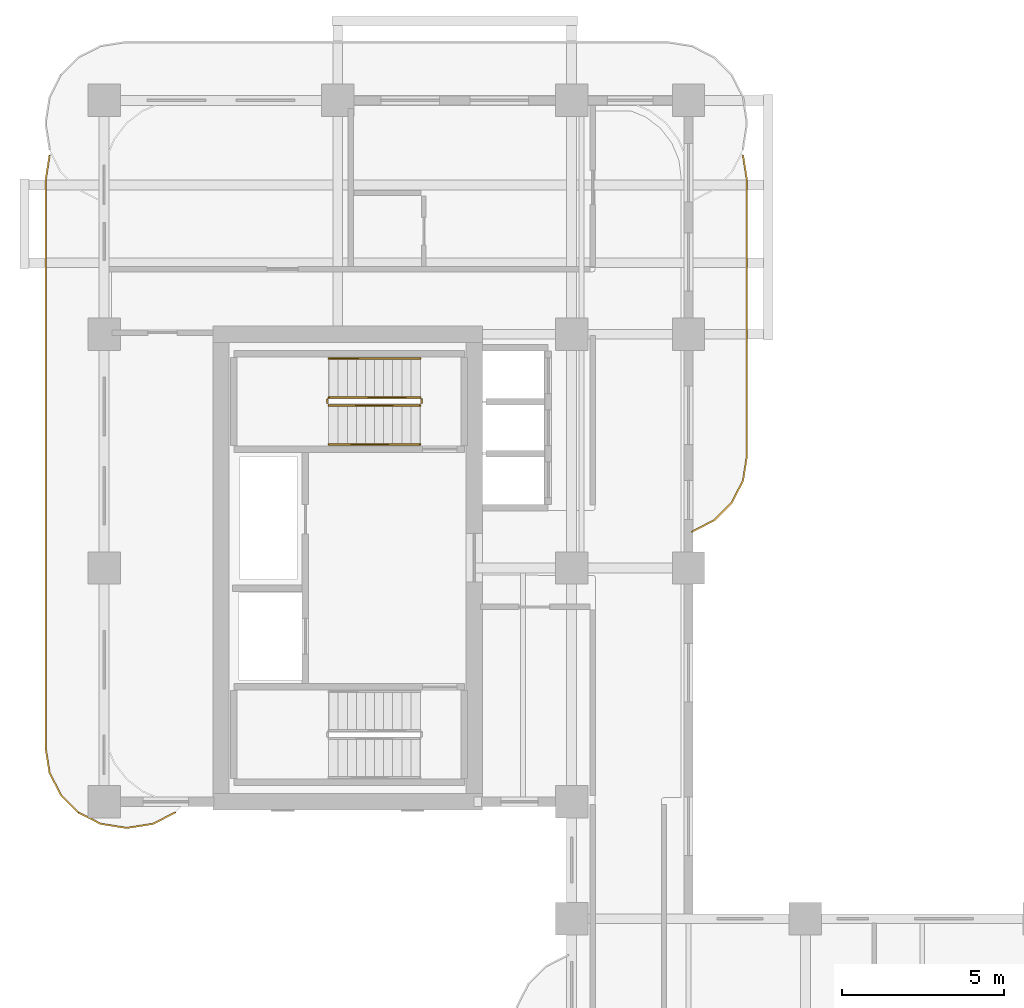
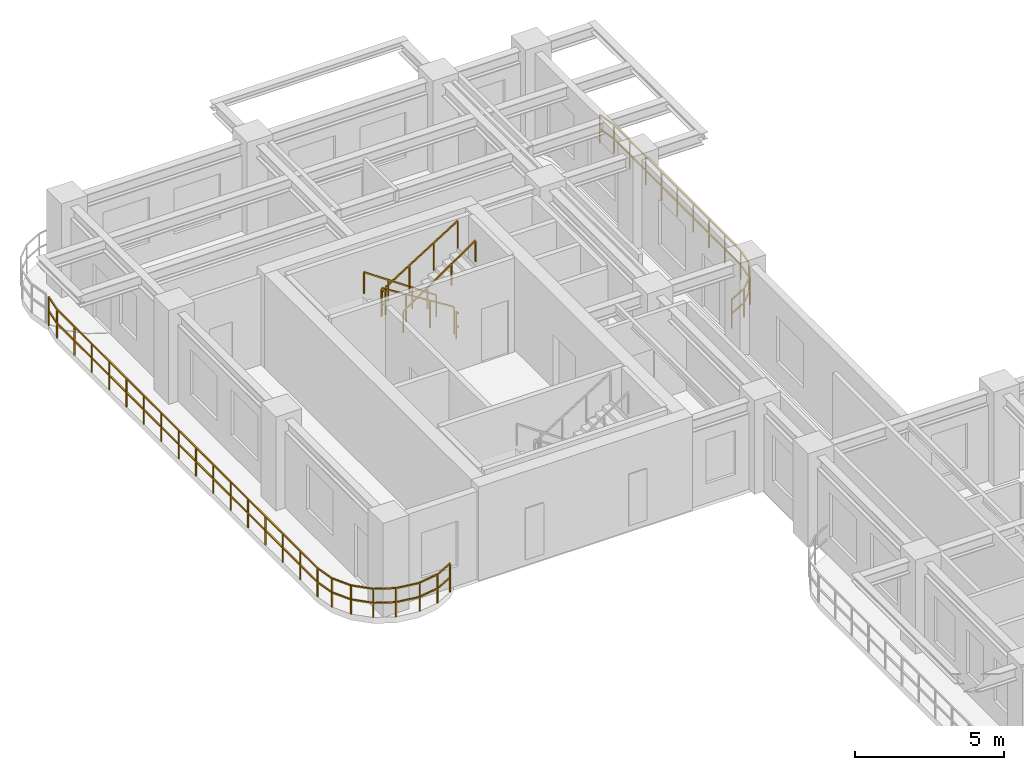
# One storey, part 13 of 14: 8 railings.
"""IFC4 building model written with IfcOpenShell, lengths in metres."""

from ifc_helpers import new_model, si_unit, derived_unit, direction, frame, origin, origin_2d, place, context, subcontext, project, spatial, rectangle, extrude, material, type_object, element, save


model = new_model("IFC4")

# Units and contexts
model_context = context("Model", 3, precision=1e-05, world=origin(), true_north=direction((0.0, 1.0)))
body_context = subcontext(model_context, "Body", "Model", "MODEL_VIEW")
ifc_project = project(units=[si_unit("LENGTHUNIT", "METRE"), si_unit("AREAUNIT", "SQUARE_METRE"), si_unit("VOLUMEUNIT", "CUBIC_METRE"), si_unit("PLANEANGLEUNIT", "RADIAN"), si_unit("MASSUNIT", "GRAM", prefix="KILO"), si_unit("THERMODYNAMICTEMPERATUREUNIT", "KELVIN"), si_unit("POWERUNIT", "WATT"), derived_unit("THERMALTRANSMITTANCEUNIT", [(si_unit("POWERUNIT", "WATT"), 1), (si_unit("AREAUNIT", "SQUARE_METRE"), -1), (si_unit("THERMODYNAMICTEMPERATUREUNIT", "KELVIN"), -1)])], contexts=[model_context])

# Site, building, storey
site_placement = place(None, origin())
site = spatial("IfcSite", under=ifc_project, at=site_placement, CompositionType="ELEMENT")
building_placement = place(site_placement, origin())
building = spatial("IfcBuilding", under=site, at=building_placement, Name="Zahravan Archway Hotel and Residences", CompositionType="ELEMENT")
storey_placement = place(building_placement, frame((0.0, 0.0, 188.800048828125)))
storey = spatial("IfcBuildingStorey", under=building, at=storey_placement, Name="L47", CompositionType="ELEMENT", Elevation=188.800048828125)

# Railings
ifc_material_1 = material(Name="Bronze & Laminated Glass Balustrade", Category="glass")
railing_type_1 = type_object("IfcRailingType", Name="RL-BAL-1200", PredefinedType="BALUSTRADE", material=ifc_material_1)
railing_1_placement = place(storey_placement, frame((2.190185546875, 24.867919921875, 0.0)))
element("IfcRailing", 1, at=railing_1_placement, inside=storey, type_object=railing_type_1, Name="L47 Balustrade RL-SLB-BAL-L47-WB-1", PredefinedType="BALUSTRADE", context=body_context, shape_type="SweptSolid", body=[
    extrude(rectangle(XDim=0.048095703125, YDim=0.048095703125, at=origin_2d()), frame((0.0, 0.0, 1.17578125), z_axis=(-0.891090529897, -0.453825591531, 0.0), x_axis=(0.453825591531, -0.891090529897, 0.0)), (0.0, 0.0, 1.0), 0.7666015625),
    extrude(rectangle(XDim=0.048095703125, YDim=0.048095703125, at=origin_2d()), frame((0.0, 0.0, 0.60009765625), z_axis=(-0.891090529897, -0.453825591531, 0.0), x_axis=(0.453825591531, -0.891090529897, 0.0)), (0.0, 0.0, 1.0), 0.7666015625),
    extrude(rectangle(XDim=0.048095703125, YDim=0.048095703125, at=origin_2d()), frame((-0.68310546875, -0.347900390625, 1.17578125), z_axis=(-0.987646484274, -0.156698507018, 0.0), x_axis=(0.156698507018, -0.987646484274, 0.0)), (0.0, 0.0, 1.0), 0.7666015625),
    extrude(rectangle(XDim=0.048095703125, YDim=0.048095703125, at=origin_2d()), frame((-0.68310546875, -0.347900390625, 0.60009765625), z_axis=(-0.987646484274, -0.156698507018, 0.0), x_axis=(0.156698507018, -0.987646484274, 0.0)), (0.0, 0.0, 1.0), 0.7666015625),
    extrude(rectangle(XDim=0.048095703125, YDim=0.048095703125, at=origin_2d()), frame((-1.440185546875, -0.468017578125, 1.17578125), z_axis=(-1.0, 0.0, 0.0), x_axis=(0.0, -1.0, 0.0)), (0.0, 0.0, 1.0), 0.10009765625),
    extrude(rectangle(XDim=0.048095703125, YDim=0.048095703125, at=origin_2d()), frame((-1.440185546875, -0.468017578125, 0.60009765625), z_axis=(-1.0, 0.0, 0.0), x_axis=(0.0, -1.0, 0.0)), (0.0, 0.0, 1.0), 0.10009765625),
    extrude(rectangle(XDim=0.048095703125, YDim=0.048095703125, at=origin_2d()), frame((-1.540283203125, -0.468017578125, 1.17578125), z_axis=(-0.987646484274, 0.156698507018, 0.0), x_axis=(-0.156698507018, -0.987646484274, 0.0)), (0.0, 0.0, 1.0), 0.7666015625),
    extrude(rectangle(XDim=0.048095703125, YDim=0.048095703125, at=origin_2d()), frame((-1.540283203125, -0.468017578125, 0.60009765625), z_axis=(-0.987646484274, 0.156698507018, 0.0), x_axis=(-0.156698507018, -0.987646484274, 0.0)), (0.0, 0.0, 1.0), 0.7666015625),
    extrude(rectangle(XDim=0.048095703125, YDim=0.048095703125, at=origin_2d()), frame((-2.29736328125, -0.347900390625, 1.17578125), z_axis=(-0.891024909783, 0.453954414172, 0.0), x_axis=(-0.453954414172, -0.891024909783, 0.0)), (0.0, 0.0, 1.0), 0.766357421875),
    extrude(rectangle(XDim=0.048095703125, YDim=0.048095703125, at=origin_2d()), frame((-2.29736328125, -0.347900390625, 0.60009765625), z_axis=(-0.891024909783, 0.453954414172, 0.0), x_axis=(-0.453954414172, -0.891024909783, 0.0)), (0.0, 0.0, 1.0), 0.766357421875),
    extrude(rectangle(XDim=0.048095703125, YDim=0.048095703125, at=origin_2d()), frame((-2.980224609375, 0.0, 1.17578125), z_axis=(-0.707106781187, 0.707106781187, 0.0), x_axis=(-0.707106781187, -0.707106781187, 0.0)), (0.0, 0.0, 1.0), 0.7666015625),
    extrude(rectangle(XDim=0.048095703125, YDim=0.048095703125, at=origin_2d()), frame((-2.980224609375, 0.0, 0.60009765625), z_axis=(-0.707106781187, 0.707106781187, 0.0), x_axis=(-0.707106781187, -0.707106781187, 0.0)), (0.0, 0.0, 1.0), 0.7666015625),
    extrude(rectangle(XDim=0.048095703125, YDim=0.048095703125, at=origin_2d()), frame((-3.522216796875, 0.5419921875, 1.17578125), z_axis=(-0.454078418624, 0.890961721815, 0.0), x_axis=(-0.890961721815, -0.454078418624, 0.0)), (0.0, 0.0, 1.0), 0.7666015625),
    extrude(rectangle(XDim=0.048095703125, YDim=0.048095703125, at=origin_2d()), frame((-3.522216796875, 0.5419921875, 0.60009765625), z_axis=(-0.454078418624, 0.890961721815, 0.0), x_axis=(-0.890961721815, -0.454078418624, 0.0)), (0.0, 0.0, 1.0), 0.7666015625),
    extrude(rectangle(XDim=0.048095703125, YDim=0.048095703125, at=origin_2d()), frame((-3.870361328125, 1.22509765625, 1.17578125), z_axis=(-0.156387811283, 0.987695728695, 0.0), x_axis=(-0.987695728695, -0.156387811283, 0.0)), (0.0, 0.0, 1.0), 0.7666015625),
    extrude(rectangle(XDim=0.048095703125, YDim=0.048095703125, at=origin_2d()), frame((-3.870361328125, 1.22509765625, 0.60009765625), z_axis=(-0.156387811283, 0.987695728695, 0.0), x_axis=(-0.987695728695, -0.156387811283, 0.0)), (0.0, 0.0, 1.0), 0.7666015625),
    extrude(rectangle(XDim=0.048095703125, YDim=0.048095703125, at=origin_2d()), frame((-3.990234375, 1.982177734375, 1.17578125), z_axis=(0.0, 1.0, 0.0), x_axis=(-1.0, 0.0, 0.0)), (0.0, 0.0, 1.0), 17.5),
    extrude(rectangle(XDim=0.048095703125, YDim=0.048095703125, at=origin_2d()), frame((-3.990234375, 1.982177734375, 0.60009765625), z_axis=(0.0, 1.0, 0.0), x_axis=(-1.0, 0.0, 0.0)), (0.0, 0.0, 1.0), 17.5),
    extrude(rectangle(XDim=0.048095703125, YDim=0.048095703125, at=origin_2d()), frame((-3.990234375, 19.482177734375, 1.17578125), z_axis=(0.156387811283, 0.987695728695, 0.0), x_axis=(-0.987695728695, 0.156387811283, 0.0)), (0.0, 0.0, 1.0), 0.7666015625),
    extrude(rectangle(XDim=0.048095703125, YDim=0.048095703125, at=origin_2d()), frame((-3.990234375, 19.482177734375, 0.60009765625), z_axis=(0.156387811283, 0.987695728695, 0.0), x_axis=(-0.987695728695, 0.156387811283, 0.0)), (0.0, 0.0, 1.0), 0.7666015625),
    extrude(rectangle(XDim=0.0419921875, YDim=0.0419921875, at=origin_2d()), origin(), (0.0, 0.0, 1.0), 1.15185546875),
    extrude(rectangle(XDim=0.0419921875, YDim=0.0419921875, at=origin_2d()), frame((-0.68310546875, -0.347900390625, 0.0)), (0.0, 0.0, 1.0), 1.15185546875),
    extrude(rectangle(XDim=0.0419921875, YDim=0.0419921875, at=origin_2d()), frame((-1.440185546875, -0.468017578125, 0.0)), (0.0, 0.0, 1.0), 1.15185546875),
    extrude(rectangle(XDim=0.0419921875, YDim=0.0419921875, at=origin_2d()), frame((-2.29736328125, -0.347900390625, 0.0)), (0.0, 0.0, 1.0), 1.15185546875),
    extrude(rectangle(XDim=0.0419921875, YDim=0.0419921875, at=origin_2d()), frame((-2.980224609375, 0.0, 0.0)), (0.0, 0.0, 1.0), 1.15185546875),
    extrude(rectangle(XDim=0.0419921875, YDim=0.0419921875, at=origin_2d()), frame((-3.522216796875, 0.5419921875, 0.0)), (0.0, 0.0, 1.0), 1.15185546875),
    extrude(rectangle(XDim=0.0419921875, YDim=0.0419921875, at=origin_2d()), frame((-3.870361328125, 1.22509765625, 0.0)), (0.0, 0.0, 1.0), 1.15185546875),
    extrude(rectangle(XDim=0.0419921875, YDim=0.0419921875, at=origin_2d()), frame((-3.990234375, 1.982177734375, 0.0)), (0.0, 0.0, 1.0), 1.15185546875),
    extrude(rectangle(XDim=0.0419921875, YDim=0.0419921875, at=origin_2d()), frame((-3.990234375, 3.14892578125, 0.0)), (0.0, 0.0, 1.0), 1.15185546875),
    extrude(rectangle(XDim=0.0419921875, YDim=0.0419921875, at=origin_2d()), frame((-3.990234375, 4.3154296875, 0.0)), (0.0, 0.0, 1.0), 1.15185546875),
    extrude(rectangle(XDim=0.0419921875, YDim=0.0419921875, at=origin_2d()), frame((-3.990234375, 5.482177734375, 0.0)), (0.0, 0.0, 1.0), 1.15185546875),
    extrude(rectangle(XDim=0.0419921875, YDim=0.0419921875, at=origin_2d()), frame((-3.990234375, 6.64892578125, 0.0)), (0.0, 0.0, 1.0), 1.15185546875),
    extrude(rectangle(XDim=0.0419921875, YDim=0.0419921875, at=origin_2d()), frame((-3.990234375, 7.8154296875, 0.0)), (0.0, 0.0, 1.0), 1.15185546875),
    extrude(rectangle(XDim=0.0419921875, YDim=0.0419921875, at=origin_2d()), frame((-3.990234375, 8.982177734375, 0.0)), (0.0, 0.0, 1.0), 1.15185546875),
    extrude(rectangle(XDim=0.0419921875, YDim=0.0419921875, at=origin_2d()), frame((-3.990234375, 10.14892578125, 0.0)), (0.0, 0.0, 1.0), 1.15185546875),
    extrude(rectangle(XDim=0.0419921875, YDim=0.0419921875, at=origin_2d()), frame((-3.990234375, 11.3154296875, 0.0)), (0.0, 0.0, 1.0), 1.15185546875),
    extrude(rectangle(XDim=0.0419921875, YDim=0.0419921875, at=origin_2d()), frame((-3.990234375, 12.482177734375, 0.0)), (0.0, 0.0, 1.0), 1.15185546875),
    extrude(rectangle(XDim=0.0419921875, YDim=0.0419921875, at=origin_2d()), frame((-3.990234375, 13.64892578125, 0.0)), (0.0, 0.0, 1.0), 1.15185546875),
    extrude(rectangle(XDim=0.0419921875, YDim=0.0419921875, at=origin_2d()), frame((-3.990234375, 14.8154296875, 0.0)), (0.0, 0.0, 1.0), 1.15185546875),
    extrude(rectangle(XDim=0.0419921875, YDim=0.0419921875, at=origin_2d()), frame((-3.990234375, 15.982177734375, 0.0)), (0.0, 0.0, 1.0), 1.15185546875),
    extrude(rectangle(XDim=0.0419921875, YDim=0.0419921875, at=origin_2d()), frame((-3.990234375, 17.14892578125, 0.0)), (0.0, 0.0, 1.0), 1.15185546875),
    extrude(rectangle(XDim=0.0419921875, YDim=0.0419921875, at=origin_2d()), frame((-3.990234375, 18.3154296875, 0.0)), (0.0, 0.0, 1.0), 1.15185546875),
    extrude(rectangle(XDim=0.0419921875, YDim=0.0419921875, at=origin_2d()), frame((-3.990234375, 19.482177734375, 0.0)), (0.0, 0.0, 1.0), 1.15185546875),
    extrude(rectangle(XDim=0.0419921875, YDim=0.0419921875, at=origin_2d()), frame((-3.870361328125, 20.2392578125, 0.0)), (0.0, 0.0, 1.0), 1.15185546875),
])
railing_2_placement = place(storey_placement, frame((19.68017578125, 45.107177734375, 0.0)))
element("IfcRailing", 2, at=railing_2_placement, inside=storey, type_object=railing_type_1, Name="L47 Balustrade RL-SLB-BAL-L47-EB-1", PredefinedType="BALUSTRADE", context=body_context, shape_type="SweptSolid", body=[
    extrude(rectangle(XDim=0.048095703125, YDim=0.048095703125, at=origin_2d()), frame((0.0, 0.0, 1.17578125), z_axis=(0.156387811283, -0.987695728695, 0.0), x_axis=(0.987695728695, 0.156387811283, 0.0)), (0.0, 0.0, 1.0), 0.7666015625),
    extrude(rectangle(XDim=0.048095703125, YDim=0.048095703125, at=origin_2d()), frame((0.0, 0.0, 0.60009765625), z_axis=(0.156387811283, -0.987695728695, 0.0), x_axis=(0.987695728695, 0.156387811283, 0.0)), (0.0, 0.0, 1.0), 0.7666015625),
    extrude(rectangle(XDim=0.048095703125, YDim=0.048095703125, at=origin_2d()), frame((0.119873046875, -0.757080078125, 1.17578125), z_axis=(0.0, -1.0, 0.0), x_axis=(1.0, 0.0, 0.0)), (0.0, 0.0, 1.0), 8.5),
    extrude(rectangle(XDim=0.048095703125, YDim=0.048095703125, at=origin_2d()), frame((0.119873046875, -0.757080078125, 0.60009765625), z_axis=(0.0, -1.0, 0.0), x_axis=(1.0, 0.0, 0.0)), (0.0, 0.0, 1.0), 8.5),
    extrude(rectangle(XDim=0.048095703125, YDim=0.048095703125, at=origin_2d()), frame((0.119873046875, -9.257080078125, 1.17578125), z_axis=(-0.156387811283, -0.987695728695, 0.0), x_axis=(0.987695728695, -0.156387811283, 0.0)), (0.0, 0.0, 1.0), 0.7666015625),
    extrude(rectangle(XDim=0.048095703125, YDim=0.048095703125, at=origin_2d()), frame((0.119873046875, -9.257080078125, 0.60009765625), z_axis=(-0.156387811283, -0.987695728695, 0.0), x_axis=(0.987695728695, -0.156387811283, 0.0)), (0.0, 0.0, 1.0), 0.7666015625),
    extrude(rectangle(XDim=0.048095703125, YDim=0.048095703125, at=origin_2d()), frame((0.0, -10.01416015625, 1.17578125), z_axis=(-0.454078418624, -0.890961721815, 0.0), x_axis=(0.890961721815, -0.454078418624, 0.0)), (0.0, 0.0, 1.0), 0.7666015625),
    extrude(rectangle(XDim=0.048095703125, YDim=0.048095703125, at=origin_2d()), frame((0.0, -10.01416015625, 0.60009765625), z_axis=(-0.454078418624, -0.890961721815, 0.0), x_axis=(0.890961721815, -0.454078418624, 0.0)), (0.0, 0.0, 1.0), 0.7666015625),
    extrude(rectangle(XDim=0.048095703125, YDim=0.048095703125, at=origin_2d()), frame((-0.34814453125, -10.697265625, 1.17578125), z_axis=(-0.707106781187, -0.707106781187, 0.0), x_axis=(0.707106781187, -0.707106781187, 0.0)), (0.0, 0.0, 1.0), 0.7666015625),
    extrude(rectangle(XDim=0.048095703125, YDim=0.048095703125, at=origin_2d()), frame((-0.34814453125, -10.697265625, 0.60009765625), z_axis=(-0.707106781187, -0.707106781187, 0.0), x_axis=(0.707106781187, -0.707106781187, 0.0)), (0.0, 0.0, 1.0), 0.7666015625),
    extrude(rectangle(XDim=0.048095703125, YDim=0.048095703125, at=origin_2d()), frame((-0.89013671875, -11.2392578125, 1.17578125), z_axis=(-0.891024909783, -0.453954414172, 0.0), x_axis=(0.453954414172, -0.891024909783, 0.0)), (0.0, 0.0, 1.0), 0.766357421875),
    extrude(rectangle(XDim=0.048095703125, YDim=0.048095703125, at=origin_2d()), frame((-0.89013671875, -11.2392578125, 0.60009765625), z_axis=(-0.891024909783, -0.453954414172, 0.0), x_axis=(0.453954414172, -0.891024909783, 0.0)), (0.0, 0.0, 1.0), 0.766357421875),
    extrude(rectangle(XDim=0.0419921875, YDim=0.0419921875, at=origin_2d()), origin(), (0.0, 0.0, 1.0), 1.15185546875),
    extrude(rectangle(XDim=0.0419921875, YDim=0.0419921875, at=origin_2d()), frame((0.119873046875, -0.757080078125, 0.0)), (0.0, 0.0, 1.0), 1.15185546875),
    extrude(rectangle(XDim=0.0419921875, YDim=0.0419921875, at=origin_2d()), frame((0.119873046875, -1.819580078125, 0.0)), (0.0, 0.0, 1.0), 1.15185546875),
    extrude(rectangle(XDim=0.0419921875, YDim=0.0419921875, at=origin_2d()), frame((0.119873046875, -2.882080078125, 0.0)), (0.0, 0.0, 1.0), 1.15185546875),
    extrude(rectangle(XDim=0.0419921875, YDim=0.0419921875, at=origin_2d()), frame((0.119873046875, -3.944580078125, 0.0)), (0.0, 0.0, 1.0), 1.15185546875),
    extrude(rectangle(XDim=0.0419921875, YDim=0.0419921875, at=origin_2d()), frame((0.119873046875, -5.007080078125, 0.0)), (0.0, 0.0, 1.0), 1.15185546875),
    extrude(rectangle(XDim=0.0419921875, YDim=0.0419921875, at=origin_2d()), frame((0.119873046875, -6.069580078125, 0.0)), (0.0, 0.0, 1.0), 1.15185546875),
    extrude(rectangle(XDim=0.0419921875, YDim=0.0419921875, at=origin_2d()), frame((0.119873046875, -7.132080078125, 0.0)), (0.0, 0.0, 1.0), 1.15185546875),
    extrude(rectangle(XDim=0.0419921875, YDim=0.0419921875, at=origin_2d()), frame((0.119873046875, -8.194580078125, 0.0)), (0.0, 0.0, 1.0), 1.15185546875),
    extrude(rectangle(XDim=0.0419921875, YDim=0.0419921875, at=origin_2d()), frame((0.119873046875, -9.257080078125, 0.0)), (0.0, 0.0, 1.0), 1.15185546875),
    extrude(rectangle(XDim=0.0419921875, YDim=0.0419921875, at=origin_2d()), frame((0.0, -10.01416015625, 0.0)), (0.0, 0.0, 1.0), 1.15185546875),
    extrude(rectangle(XDim=0.0419921875, YDim=0.0419921875, at=origin_2d()), frame((-0.34814453125, -10.697265625, 0.0)), (0.0, 0.0, 1.0), 1.15185546875),
    extrude(rectangle(XDim=0.0419921875, YDim=0.0419921875, at=origin_2d()), frame((-0.89013671875, -11.2392578125, 0.0)), (0.0, 0.0, 1.0), 1.15185546875),
    extrude(rectangle(XDim=0.0419921875, YDim=0.0419921875, at=origin_2d()), frame((-1.572998046875, -11.587158203125, 0.0)), (0.0, 0.0, 1.0), 1.15185546875),
])
ifc_material_2 = material(Name="Painted Tubular Steel", Category="steel")
railing_type_2 = type_object("IfcRailingType", Name="RL-STG-1150", PredefinedType="GUARDRAIL", material=ifc_material_2)
railing_3_placement = place(storey_placement, frame((9.72998046875, 37.64990234375, 0.175048828125)))
element("IfcRailing", 3, at=railing_3_placement, inside=storey, type_object=railing_type_2, Name="L47 ST-B2 stair guard 1", PredefinedType="GUARDRAIL", context=body_context, shape_type="SweptSolid", body=[
    extrude(rectangle(XDim=0.048095703125, YDim=0.048095703125, at=origin_2d()), frame((0.0, 0.0, 1.1259765625), z_axis=(-0.848002457836, 0.0, 0.529992293815), x_axis=(0.0, -1.0, 0.0)), (0.0, 0.0, 1.0), 3.302001953125),
    extrude(rectangle(XDim=0.0419921875, YDim=0.0419921875, at=origin_2d()), origin(), (0.0, 0.0, 1.0), 1.101806640625),
    extrude(rectangle(XDim=0.0419921875, YDim=0.0419921875, at=origin_2d()), frame((-0.933349609375, 0.0, 0.583251953125)), (0.0, 0.0, 1.0), 1.101806640625),
    extrude(rectangle(XDim=0.0419921875, YDim=0.0419921875, at=origin_2d()), frame((-1.86669921875, 0.0, 1.166748046875)), (0.0, 0.0, 1.0), 1.101806640625),
    extrude(rectangle(XDim=0.0419921875, YDim=0.0419921875, at=origin_2d()), frame((-2.800048828125, 0.0, 1.75)), (0.0, 0.0, 1.0), 1.101806640625),
])
railing_4_placement = place(storey_placement, frame((6.8798828125, 37.60009765625, 1.925048828125)))
element("IfcRailing", 4, at=railing_4_placement, inside=storey, type_object=railing_type_2, Name="L47 ST-B2 stair guard 2", PredefinedType="GUARDRAIL", context=body_context, shape_type="SweptSolid", body=[
    extrude(rectangle(XDim=0.048095703125, YDim=0.048095703125, at=origin_2d()), frame((0.0, 0.0, 1.1259765625), z_axis=(0.0, -1.0, 0.0), x_axis=(1.0, 0.0, 0.0)), (0.0, 0.0, 1.0), 0.14013671875),
    extrude(rectangle(XDim=0.048095703125, YDim=0.048095703125, at=origin_2d()), frame((0.0, 0.0, 0.574951171875), z_axis=(0.0, -1.0, 0.0), x_axis=(1.0, 0.0, 0.0)), (0.0, 0.0, 1.0), 0.14013671875),
    extrude(rectangle(XDim=0.0419921875, YDim=0.0419921875, at=origin_2d()), origin(), (0.0, 0.0, 1.0), 1.101806640625),
])
railing_5_placement = place(storey_placement, frame((6.929931640625, 37.409912109375, 2.099853515625)))
element("IfcRailing", 5, at=railing_5_placement, inside=storey, type_object=railing_type_2, Name="L47 ST-B2 stair guard 3", PredefinedType="GUARDRAIL", context=body_context, shape_type="SweptSolid", body=[
    extrude(rectangle(XDim=0.048095703125, YDim=0.048095703125, at=origin_2d()), frame((0.0, 0.0, 1.1259765625), z_axis=(0.848002457836, 0.0, 0.529992293815), x_axis=(0.0, 1.0, 0.0)), (0.0, 0.0, 1.0), 3.302001953125),
    extrude(rectangle(XDim=0.0419921875, YDim=0.0419921875, at=origin_2d()), origin(), (0.0, 0.0, 1.0), 1.101806640625),
    extrude(rectangle(XDim=0.0419921875, YDim=0.0419921875, at=origin_2d()), frame((0.933349609375, 0.0, 0.583251953125)), (0.0, 0.0, 1.0), 1.101806640625),
    extrude(rectangle(XDim=0.0419921875, YDim=0.0419921875, at=origin_2d()), frame((1.86669921875, 0.0, 1.166748046875)), (0.0, 0.0, 1.0), 1.101806640625),
    extrude(rectangle(XDim=0.0419921875, YDim=0.0419921875, at=origin_2d()), frame((2.800048828125, 0.0, 1.75)), (0.0, 0.0, 1.0), 1.101806640625),
])
railing_6_placement = place(storey_placement, frame((9.780029296875, 37.60009765625, 0.0)))
element("IfcRailing", 6, at=railing_6_placement, inside=storey, type_object=railing_type_2, Name="L47 ST-B2 stair guard 4", PredefinedType="GUARDRAIL", context=body_context, shape_type="SweptSolid", body=[
    extrude(rectangle(XDim=0.048095703125, YDim=0.048095703125, at=origin_2d()), frame((0.0, 0.0, 1.1259765625), z_axis=(0.0, -1.0, 0.0), x_axis=(1.0, 0.0, 0.0)), (0.0, 0.0, 1.0), 0.14013671875),
    extrude(rectangle(XDim=0.048095703125, YDim=0.048095703125, at=origin_2d()), frame((0.0, 0.0, 0.574951171875), z_axis=(0.0, -1.0, 0.0), x_axis=(1.0, 0.0, 0.0)), (0.0, 0.0, 1.0), 0.14013671875),
    extrude(rectangle(XDim=0.0419921875, YDim=0.0419921875, at=origin_2d()), origin(), (0.0, 0.0, 1.0), 1.101806640625),
])
ifc_material_3 = material(Name="Brushed Stainless Steel", Category="steel")
railing_type_3 = type_object("IfcRailingType", Name="RL-STH-900", PredefinedType="HANDRAIL", material=ifc_material_3)
railing_7_placement = place(storey_placement, frame((9.72998046875, 38.85009765625, 0.175048828125)))
element("IfcRailing", 7, at=railing_7_placement, inside=storey, type_object=railing_type_3, Name="L47 ST-B2 stair handrail 1", PredefinedType="HANDRAIL", context=body_context, shape_type="SweptSolid", body=[
    extrude(rectangle(XDim=0.048095703125, YDim=0.048095703125, at=origin_2d()), frame((0.0, 0.0, 0.8759765625), z_axis=(-0.824073370198, 0.0, 0.566483080534), x_axis=(0.0, -1.0, 0.0)), (0.0, 0.0, 1.0), 3.397705078125),
    extrude(rectangle(XDim=0.0419921875, YDim=0.0419921875, at=origin_2d()), origin(), (0.0, 0.0, 1.0), 0.851806640625),
    extrude(rectangle(XDim=0.0419921875, YDim=0.0419921875, at=origin_2d()), frame((-0.933349609375, 0.0, 0.6416015625)), (0.0, 0.0, 1.0), 0.851806640625),
    extrude(rectangle(XDim=0.0419921875, YDim=0.0419921875, at=origin_2d()), frame((-1.86669921875, 0.0, 1.283203125)), (0.0, 0.0, 1.0), 0.851806640625),
    extrude(rectangle(XDim=0.0419921875, YDim=0.0419921875, at=origin_2d()), frame((-2.800048828125, 0.0, 1.9248046875)), (0.0, 0.0, 1.0), 0.851806640625),
])
railing_8_placement = place(storey_placement, frame((6.929931640625, 36.2099609375, 2.099853515625)))
element("IfcRailing", 8, at=railing_8_placement, inside=storey, type_object=railing_type_3, Name="L47 ST-B2 stair handrail 2", PredefinedType="HANDRAIL", context=body_context, shape_type="SweptSolid", body=[
    extrude(rectangle(XDim=0.048095703125, YDim=0.048095703125, at=origin_2d()), frame((0.0, 0.0, 0.8759765625), z_axis=(0.824039827795, 0.0, 0.566531872191), x_axis=(0.0, 1.0, 0.0)), (0.0, 0.0, 1.0), 3.39794921875),
    extrude(rectangle(XDim=0.0419921875, YDim=0.0419921875, at=origin_2d()), origin(), (0.0, 0.0, 1.0), 0.851806640625),
    extrude(rectangle(XDim=0.0419921875, YDim=0.0419921875, at=origin_2d()), frame((0.933349609375, 0.0, 0.6416015625)), (0.0, 0.0, 1.0), 0.851806640625),
    extrude(rectangle(XDim=0.0419921875, YDim=0.0419921875, at=origin_2d()), frame((1.86669921875, 0.0, 1.283447265625)), (0.0, 0.0, 1.0), 0.851806640625),
    extrude(rectangle(XDim=0.0419921875, YDim=0.0419921875, at=origin_2d()), frame((2.800048828125, 0.0, 1.925048828125)), (0.0, 0.0, 1.0), 0.851806640625),
])

save(model, "model.ifc")
